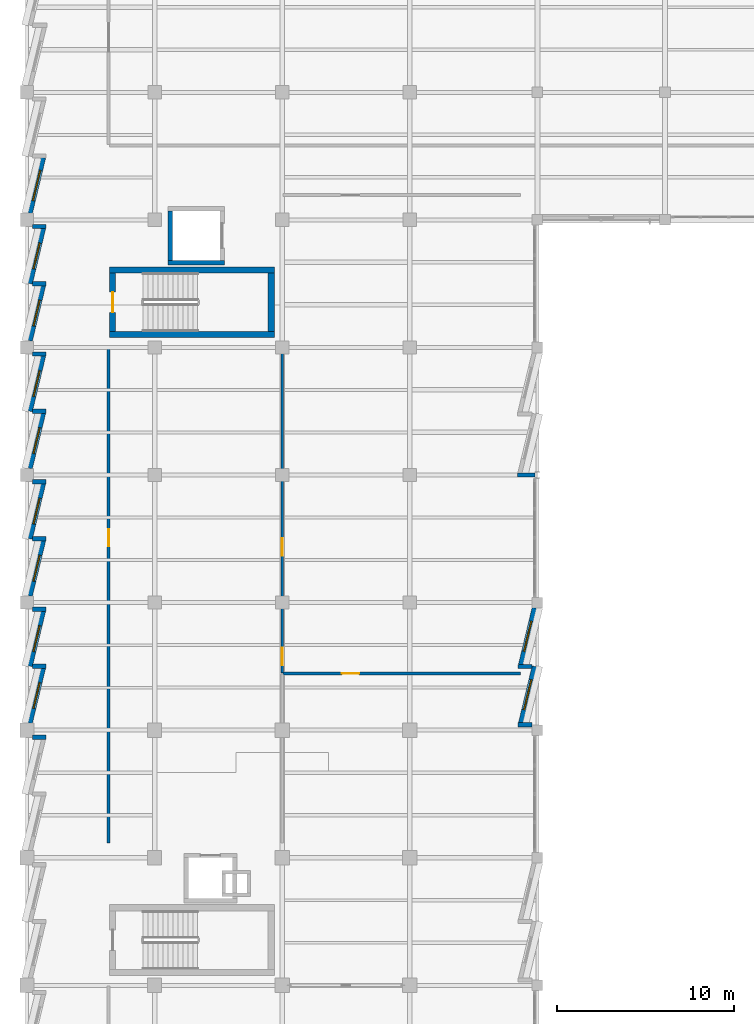
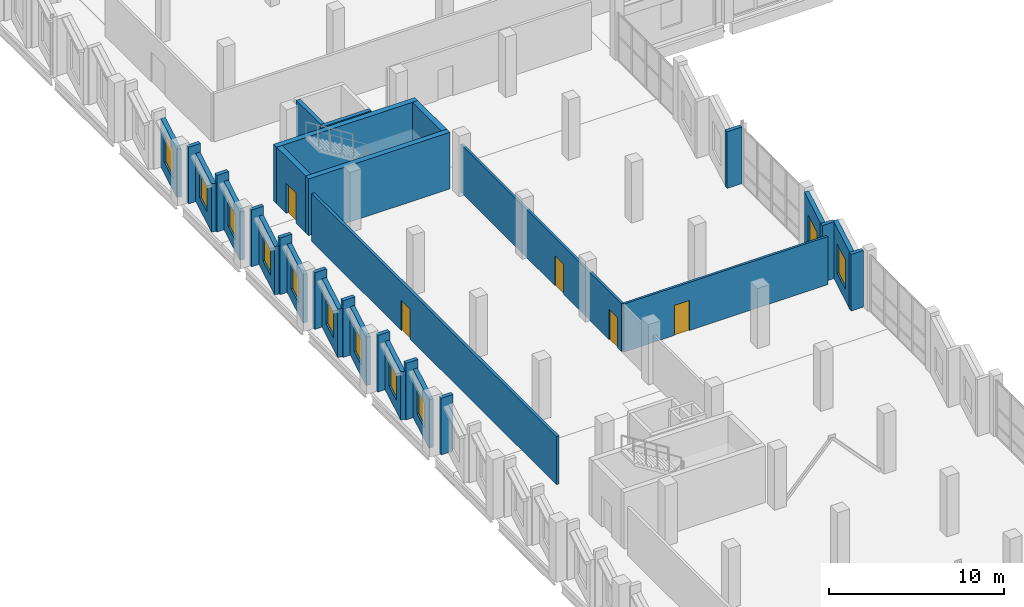
# One storey, part 71 of 94: 32 walls, 11 windows, 5 doors, 16 openings.
"""IFC4 building model written with IfcOpenShell, lengths in metres."""

from ifc_helpers import new_model, si_unit, direction, frame, frame_2d, origin, place, context, subcontext, project, spatial, rectangle, extrude, material, layer, layer_set, type_object, element, fill, save


model = new_model("IFC4")

# Units and contexts
model_context = context("Model", 3, precision=1e-05, world=origin(), true_north=direction((0.0, 1.0)))
body_context = subcontext(model_context, "Body", "Model", "MODEL_VIEW")
ifc_project = project(units=[si_unit("LENGTHUNIT", "METRE"), si_unit("AREAUNIT", "SQUARE_METRE"), si_unit("VOLUMEUNIT", "CUBIC_METRE"), si_unit("PLANEANGLEUNIT", "RADIAN"), si_unit("MASSUNIT", "GRAM", prefix="KILO")], contexts=[model_context])

# Site, building, storey
site_placement = place(None, origin())
site = spatial("IfcSite", under=ifc_project, at=site_placement, CompositionType="ELEMENT")
building_placement = place(site_placement, origin())
building = spatial("IfcBuilding", under=site, at=building_placement, Name="Kalmorath City Hall", CompositionType="ELEMENT")
storey_placement = place(building_placement, frame((0.0, 0.0, 14.699951171875)))
storey = spatial("IfcBuildingStorey", under=building, at=storey_placement, Name="L03", CompositionType="ELEMENT", Elevation=14.699951171875)

# Walls
ifc_material_1 = material(Name="Concrete C50/60", Category="concrete")
ifc_layer_1 = layer(ifc_material_1, 0.35009765625)
ifc_layer_set_1 = layer_set([ifc_layer_1], Name="Concrete C50/60")
wall_type_1 = type_object("IfcWallType", Name="Concrete core shear wall 350", PredefinedType="SHEAR", material=ifc_layer_set_1)
for number, where, z_axis, x_axis, name in (
    (1, (4.64990234375, 87.125, 0.0), (0.0, 0.0, 1.0), (1.0, 0.0, 0.0), "L03 C4 stair core shear wall S"),
    (2, (13.949951171875, 90.77490234375, 0.0), (0.0, 0.0, 1.0), (-1.0, 0.0, 0.0), "L03 C4 stair core shear wall N"),
):
    element("IfcWall", number, at=place(storey_placement, frame(where, z_axis=z_axis, x_axis=x_axis)), inside=storey, type_object=wall_type_1, Name=name, PredefinedType="SHEAR", context=body_context, shape_type="SweptSolid", body=[
        extrude(rectangle(XDim=9.300048828125, YDim=0.35009765625, at=frame_2d((4.64990234375, 0.0))), origin(), (0.0, 0.0, 1.0), 3.949951171875),
    ])

# Wall, opening, door
wall_1_placement = place(storey_placement, frame((4.824951171875, 90.60009765625, 0.0), z_axis=(0.0, 0.0, 1.0), x_axis=(0.0, -1.0, 0.0)))
wall_1 = element("IfcWall", 3, at=wall_1_placement, inside=storey, type_object=wall_type_1, Name="L03 C4 stair core shear wall W", PredefinedType="SHEAR", context=body_context, shape_type="SweptSolid", body=[
    extrude(rectangle(XDim=3.300048828125, YDim=0.35009765625, at=frame_2d((1.64990234375, 0.0))), origin(), (0.0, 0.0, 1.0), 3.949951171875),
])
opening_1_placement = place(wall_1_placement, frame((1.074951171875, 0.0, 0.0)))
opening_1 = element("IfcOpeningElement", 4, at=opening_1_placement, cuts=wall_1, Name="Opening D-L03-083", PredefinedType="OPENING", context=body_context, shape_type="SweptSolid", body=[
    extrude(rectangle(XDim=1.14990234375, YDim=2.10009765625, at=frame_2d((0.574951171875, 1.050048828125))), frame((0.0, 0.18505859375, 0.0), z_axis=(0.0, -1.0, 0.0), x_axis=(1.0, 0.0, 0.0)), (0.0, 0.0, 1.0), 0.3701171875),
])
ifc_material_2 = material(Name="Galvanised steel fire door", Category="steel")
door_type_1 = type_object("IfcDoorType", Name="Stair enclosure 90-min fire door 1150x2100", OperationType="NOTDEFINED", PredefinedType="DOOR", material=ifc_material_2)
door_1_placement = place(opening_1_placement, frame((1.14990234375, 0.0, 0.0), z_axis=(0.0, 0.0, 1.0), x_axis=(-1.0, 0.0, 0.0)))
door_1 = element("IfcDoor", 5, at=door_1_placement, inside=storey, type_object=door_type_1, Name="L03 door D-L03-083", OperationType="SINGLE_SWING_LEFT", OverallHeight=2.10009765625, OverallWidth=1.14990234375, PredefinedType="DOOR", context=body_context, shape_type="SweptSolid", body=[
    extrude(rectangle(XDim=1.14990234375, YDim=2.10009765625, at=frame_2d((0.574951171875, 1.050048828125))), frame((0.0, 0.02490234375, 0.0), z_axis=(0.0, -1.0, 0.0), x_axis=(1.0, 0.0, 0.0)), (0.0, 0.0, 1.0), 0.050048828125),
])
fill(opening_1, door_1)

# Walls
wall_2_placement = place(storey_placement, frame((13.77490234375, 87.300048828125, 0.0), z_axis=(0.0, 0.0, 1.0), x_axis=(0.0, 1.0, 0.0)))
element("IfcWall", 6, at=wall_2_placement, inside=storey, type_object=wall_type_1, Name="L03 C4 stair core shear wall E", PredefinedType="SHEAR", context=body_context, shape_type="SweptSolid", body=[
    extrude(rectangle(XDim=3.300048828125, YDim=0.35009765625, at=frame_2d((1.64990234375, 0.0))), origin(), (0.0, 0.0, 1.0), 3.949951171875),
])
ifc_material_3 = material(Name="Concrete C50/60", Category="concrete")
ifc_layer_2 = layer(ifc_material_3, 0.25)
ifc_layer_set_2 = layer_set([ifc_layer_2], Name="Concrete C50/60")
wall_type_2 = type_object("IfcWallType", Name="Concrete lift shaft wall 250", PredefinedType="SHEAR", material=ifc_layer_set_2)
wall_3_placement = place(storey_placement, frame((7.949951171875, 91.175048828125, 0.0), z_axis=(0.0, 0.0, 1.0), x_axis=(1.0, 0.0, 0.0)))
element("IfcWall", 7, at=wall_3_placement, inside=storey, type_object=wall_type_2, Name="L03 SL1 lift shaft wall -y", PredefinedType="SHEAR", context=body_context, shape_type="SweptSolid", body=[
    extrude(rectangle(XDim=3.199951171875, YDim=0.25, at=frame_2d((1.60009765625, 0.0))), origin(), (0.0, 0.0, 1.0), 3.949951171875),
])
wall_4_placement = place(storey_placement, frame((8.074951171875, 94.10009765625, 0.0), z_axis=(0.0, 0.0, 1.0), x_axis=(0.0, -1.0, 0.0)))
element("IfcWall", 8, at=wall_4_placement, inside=storey, type_object=wall_type_2, Name="L03 SL1 lift shaft wall -x", PredefinedType="SHEAR", context=body_context, shape_type="SweptSolid", body=[
    extrude(rectangle(XDim=2.800048828125, YDim=0.25, at=frame_2d((1.39990234375, 0.0))), origin(), (0.0, 0.0, 1.0), 3.949951171875),
])

# Wall, opening, door
ifc_material_4 = material(Name="Acoustic metal-stud gypsum partition")
ifc_layer_3 = layer(ifc_material_4, 0.14990234375)
ifc_layer_set_3 = layer_set([ifc_layer_3], Name="Acoustic metal-stud gypsum partition")
wall_type_3 = type_object("IfcWallType", Name="Departmental suite partition 150", PredefinedType="PARTITIONING", material=ifc_layer_set_3)
wall_5_placement = place(storey_placement, frame((14.43994140625, 68.0, 0.0), z_axis=(0.0, 0.0, 1.0), x_axis=(1.0, 0.0, 0.0)))
wall_5 = element("IfcWall", 9, at=wall_5_placement, inside=storey, type_object=wall_type_3, Name="L03 interior partition PW4 #145", PredefinedType="PARTITIONING", context=body_context, shape_type="SweptSolid", body=[
    extrude(rectangle(XDim=13.420166015625, YDim=0.14990234375, at=frame_2d((6.7099609375, 0.0))), origin(), (0.0, 0.0, 1.0), 3.35205078125),
])
opening_2_placement = place(wall_5_placement, frame((3.320068359375, 0.0, 0.0)))
opening_2 = element("IfcOpeningElement", 10, at=opening_2_placement, cuts=wall_5, Name="Opening D-L03-224", PredefinedType="OPENING", context=body_context, shape_type="SweptSolid", body=[
    extrude(rectangle(XDim=0.97998046875, YDim=2.10009765625, at=frame_2d((0.489990234375, 1.050048828125))), frame((0.0, 0.0849609375, 0.0), z_axis=(0.0, -1.0, 0.0), x_axis=(1.0, 0.0, 0.0)), (0.0, 0.0, 1.0), 0.169921875),
])
ifc_material_5 = material(Name="Hardwood veneer door", Category="wood")
door_type_2 = type_object("IfcDoorType", Name="Municipal suite single door 980x2100", OperationType="NOTDEFINED", PredefinedType="DOOR", material=ifc_material_5)
door_2_placement = place(opening_2_placement, origin())
door_2 = element("IfcDoor", 11, at=door_2_placement, inside=storey, type_object=door_type_2, Name="L03 door D-L03-224", OperationType="SINGLE_SWING_RIGHT", OverallHeight=2.10009765625, OverallWidth=0.97998046875, PredefinedType="DOOR", context=body_context, shape_type="SweptSolid", body=[
    extrude(rectangle(XDim=0.97998046875, YDim=2.10009765625, at=frame_2d((0.489990234375, 1.050048828125))), frame((0.0, 0.02490234375, 0.0), z_axis=(0.0, -1.0, 0.0), x_axis=(1.0, 0.0, 0.0)), (0.0, 0.0, 1.0), 0.050048828125),
])
fill(opening_2, door_2)

# Wall, openings, doors
wall_6_placement = place(storey_placement, frame((14.39990234375, 68.0400390625, 0.0), z_axis=(0.0, 0.0, 1.0), x_axis=(0.0, 1.0, 0.0)))
wall_6 = element("IfcWall", 12, at=wall_6_placement, inside=storey, type_object=wall_type_3, Name="L03 interior partition PW4 #146", PredefinedType="PARTITIONING", context=body_context, shape_type="SweptSolid", body=[
    extrude(rectangle(XDim=18.320068359375, YDim=0.14990234375, at=frame_2d((9.16015625, 0.0))), origin(), (0.0, 0.0, 1.0), 3.35205078125),
])
opening_3_placement = place(wall_6_placement, frame((6.607421875, 0.0, 0.0)))
opening_3 = element("IfcOpeningElement", 13, at=opening_3_placement, cuts=wall_6, Name="Opening D-L03-226", PredefinedType="OPENING", context=body_context, shape_type="SweptSolid", body=[
    extrude(rectangle(XDim=0.97998046875, YDim=2.10009765625, at=frame_2d((0.489990234375, 1.050048828125))), frame((0.0, 0.0849609375, 0.0), z_axis=(0.0, -1.0, 0.0), x_axis=(1.0, 0.0, 0.0)), (0.0, 0.0, 1.0), 0.169921875),
])
opening_4_placement = place(wall_6_placement, frame((0.419921875, 0.0, 0.0)))
opening_4 = element("IfcOpeningElement", 14, at=opening_4_placement, cuts=wall_6, Name="Opening D-L03-228", PredefinedType="OPENING", context=body_context, shape_type="SweptSolid", body=[
    extrude(rectangle(XDim=0.97998046875, YDim=2.10009765625, at=frame_2d((0.489990234375, 1.050048828125))), frame((0.0, 0.0849609375, 0.0), z_axis=(0.0, -1.0, 0.0), x_axis=(1.0, 0.0, 0.0)), (0.0, 0.0, 1.0), 0.169921875),
])
door_3_placement = place(opening_3_placement, origin())
door_3 = element("IfcDoor", 15, at=door_3_placement, inside=storey, type_object=door_type_2, Name="L03 door D-L03-226", OperationType="SINGLE_SWING_RIGHT", OverallHeight=2.10009765625, OverallWidth=0.97998046875, PredefinedType="DOOR", context=body_context, shape_type="SweptSolid", body=[
    extrude(rectangle(XDim=0.97998046875, YDim=2.10009765625, at=frame_2d((0.489990234375, 1.050048828125))), frame((0.0, 0.02490234375, 0.0), z_axis=(0.0, -1.0, 0.0), x_axis=(1.0, 0.0, 0.0)), (0.0, 0.0, 1.0), 0.050048828125),
])
fill(opening_3, door_3)
door_4_placement = place(opening_4_placement, origin())
door_4 = element("IfcDoor", 16, at=door_4_placement, inside=storey, type_object=door_type_2, Name="L03 door D-L03-228", OperationType="SINGLE_SWING_RIGHT", OverallHeight=2.10009765625, OverallWidth=0.97998046875, PredefinedType="DOOR", context=body_context, shape_type="SweptSolid", body=[
    extrude(rectangle(XDim=0.97998046875, YDim=2.10009765625, at=frame_2d((0.489990234375, 1.050048828125))), frame((0.0, 0.02490234375, 0.0), z_axis=(0.0, -1.0, 0.0), x_axis=(1.0, 0.0, 0.0)), (0.0, 0.0, 1.0), 0.050048828125),
])
fill(opening_4, door_4)

# Wall, opening, door
ifc_material_6 = material(Name="Fire-rated acoustic gypsum partition")
ifc_layer_4 = layer(ifc_material_6, 0.179931640625)
ifc_layer_set_4 = layer_set([ifc_layer_4], Name="Fire-rated acoustic gypsum partition")
wall_type_4 = type_object("IfcWallType", Name="One-hour corridor fire partition 180", PredefinedType="PARTITIONING", material=ifc_layer_set_4)
wall_7_placement = place(storey_placement, frame((4.60009765625, 58.43994140625, 0.0), z_axis=(0.0, 0.0, 1.0), x_axis=(0.0, 1.0, 0.0)))
wall_7 = element("IfcWall", 17, at=wall_7_placement, inside=storey, type_object=wall_type_4, Name="L03 interior partition PW2 #131", PredefinedType="PARTITIONING", context=body_context, shape_type="SweptSolid", body=[
    extrude(rectangle(XDim=27.920166015625, YDim=0.179931640625, at=frame_2d((13.9599609375, 0.0))), origin(), (0.0, 0.0, 1.0), 3.35205078125),
])
opening_5_placement = place(wall_7_placement, frame((16.732421875, 0.0, 0.0)))
opening_5 = element("IfcOpeningElement", 18, at=opening_5_placement, cuts=wall_7, Name="Opening D-L03-225", PredefinedType="OPENING", context=body_context, shape_type="SweptSolid", body=[
    extrude(rectangle(XDim=0.97998046875, YDim=2.10009765625, at=frame_2d((0.489990234375, 1.050048828125))), frame((0.0, 0.099853515625, 0.0), z_axis=(0.0, -1.0, 0.0), x_axis=(1.0, 0.0, 0.0)), (0.0, 0.0, 1.0), 0.199951171875),
])
door_5_placement = place(opening_5_placement, origin())
door_5 = element("IfcDoor", 19, at=door_5_placement, inside=storey, type_object=door_type_2, Name="L03 door D-L03-225", OperationType="SINGLE_SWING_LEFT", OverallHeight=2.10009765625, OverallWidth=0.97998046875, PredefinedType="DOOR", context=body_context, shape_type="SweptSolid", body=[
    extrude(rectangle(XDim=0.97998046875, YDim=2.10009765625, at=frame_2d((0.489990234375, 1.050048828125))), frame((0.0, 0.02490234375, 0.0), z_axis=(0.0, -1.0, 0.0), x_axis=(1.0, 0.0, 0.0)), (0.0, 0.0, 1.0), 0.050048828125),
])
fill(opening_5, door_5)

# Walls
ifc_material_7 = material(Name="Precast concrete C40/50", Category="concrete")
ifc_layer_5 = layer(ifc_material_7, 0.239990234375)
ifc_layer_set_5 = layer_set([ifc_layer_5], Name="Precast concrete C40/50")
wall_type_5 = type_object("IfcWallType", Name="Precast sawtooth cheek wall 240", PredefinedType="SOLIDWALL", material=ifc_layer_set_5)
wall_8_placement = place(storey_placement, frame((1.072998046875, 64.39892578125, 0.0), z_axis=(0.0, 0.0, 1.0), x_axis=(-1.0, 0.0, 0.0)))
element("IfcWall", 20, at=wall_8_placement, inside=storey, type_object=wall_type_5, Name="L03 sawtooth return cheek #565", PredefinedType="SOLIDWALL", context=body_context, shape_type="SweptSolid", body=[
    extrude(rectangle(XDim=0.781005859375, YDim=0.239990234375, at=frame_2d((0.390625, 0.0))), origin(), (0.0, 0.0, 1.0), 3.949951171875),
])
for number, where, z_axis, x_axis, name in (
    (21, (1.075927734375, 68.41259765625, 0.0), (0.0, 0.0, 1.0), (-1.0, 0.0, 0.0), "L03 sawtooth return cheek #567"),
    (22, (1.075927734375, 71.6240234375, 0.0), (0.0, 0.0, 1.0), (-1.0, 0.0, 0.0), "L03 sawtooth return cheek #569"),
):
    element("IfcWall", number, at=place(storey_placement, frame(where, z_axis=z_axis, x_axis=x_axis)), inside=storey, type_object=wall_type_5, Name=name, PredefinedType="SOLIDWALL", context=body_context, shape_type="SweptSolid", body=[
        extrude(rectangle(XDim=0.783935546875, YDim=0.239990234375, at=frame_2d((0.39208984375, 0.0))), origin(), (0.0, 0.0, 1.0), 3.949951171875),
    ])
for number, where, z_axis, x_axis, name in (
    (23, (1.0791015625, 75.60009765625, 0.0), (0.0, 0.0, 1.0), (-1.0, 0.0, 0.0), "L03 sawtooth return cheek #571"),
    (24, (1.0791015625, 78.823974609375, 0.0), (0.0, 0.0, 1.0), (-1.0, 0.0, 0.0), "L03 sawtooth return cheek #573"),
    (25, (1.0791015625, 82.800048828125, 0.0), (0.0, 0.0, 1.0), (-1.0, 0.0, 0.0), "L03 sawtooth return cheek #575"),
    (26, (1.0791015625, 86.02392578125, 0.0), (0.0, 0.0, 1.0), (-1.0, 0.0, 0.0), "L03 sawtooth return cheek #577"),
    (27, (1.0791015625, 90.0, 0.0), (0.0, 0.0, 1.0), (-1.0, 0.0, 0.0), "L03 sawtooth return cheek #579"),
    (28, (1.0791015625, 93.22412109375, 0.0), (0.0, 0.0, 1.0), (-1.0, 0.0, 0.0), "L03 sawtooth return cheek #581"),
):
    element("IfcWall", number, at=place(storey_placement, frame(where, z_axis=z_axis, x_axis=x_axis)), inside=storey, type_object=wall_type_5, Name=name, PredefinedType="SOLIDWALL", context=body_context, shape_type="SweptSolid", body=[
        extrude(rectangle(XDim=0.787109375, YDim=0.239990234375, at=frame_2d((0.3935546875, 0.0))), origin(), (0.0, 0.0, 1.0), 3.949951171875),
    ])
wall_9_placement = place(storey_placement, frame((27.666748046875, 79.199951171875, 0.0), z_axis=(0.0, 0.0, 1.0), x_axis=(1.0, 0.0, 0.0)))
element("IfcWall", 29, at=wall_9_placement, inside=storey, type_object=wall_type_5, Name="L03 sawtooth return cheek #637", PredefinedType="SOLIDWALL", context=body_context, shape_type="SweptSolid", body=[
    extrude(rectangle(XDim=0.9931640625, YDim=0.239990234375, at=frame_2d((0.49658203125, 0.0))), origin(), (0.0, 0.0, 1.0), 3.949951171875),
])
for number, where, z_axis, x_axis, name in (
    (30, (27.702880859375, 68.39990234375, 0.0), (0.0, 0.0, 1.0), (1.0, 0.0, 0.0), "L03 sawtooth return cheek #639"),
    (31, (27.702880859375, 65.10107421875, 0.0), (0.0, 0.0, 1.0), (1.0, 0.0, 0.0), "L03 sawtooth return cheek #641"),
):
    element("IfcWall", number, at=place(storey_placement, frame(where, z_axis=z_axis, x_axis=x_axis)), inside=storey, type_object=wall_type_5, Name=name, PredefinedType="SOLIDWALL", context=body_context, shape_type="SweptSolid", body=[
        extrude(rectangle(XDim=0.80517578125, YDim=0.239990234375, at=frame_2d((0.402587890625, 0.0))), origin(), (0.0, 0.0, 1.0), 3.949951171875),
    ])

# Wall, opening, window
ifc_material_8 = material(Name="Precast concrete C40/50", Category="concrete")
ifc_layer_6 = layer(ifc_material_8, 0.280029296875)
ifc_layer_set_6 = layer_set([ifc_layer_6], Name="Precast concrete C40/50")
wall_type_6 = type_object("IfcWallType", Name="Precast sawtooth facade wall 280", PredefinedType="SOLIDWALL", material=ifc_layer_set_6)
wall_10_placement = place(storey_placement, frame((0.159912109375, 65.200927734375, 0.0), z_axis=(0.0, 0.0, 1.0), x_axis=(0.23342764497, 0.972374174155, 0.0)))
wall_10 = element("IfcWall", 32, at=wall_10_placement, inside=storey, type_object=wall_type_6, Name="L03 sawtooth precast frame #566", PredefinedType="SOLIDWALL", context=body_context, shape_type="SweptSolid", body=[
    extrude(rectangle(XDim=3.207763671875, YDim=0.280029296875, at=frame_2d((1.60400390625, 0.0))), origin(), (0.0, 0.0, 1.0), 3.365966796875),
])
opening_6_placement = place(wall_10_placement, frame((0.85400390625, 0.0, 0.800048828125)))
opening_6 = element("IfcOpeningElement", 33, at=opening_6_placement, cuts=wall_10, Name="Opening WN7", PredefinedType="OPENING", context=body_context, shape_type="SweptSolid", body=[
    extrude(rectangle(XDim=1.5, YDim=1.699951171875, at=frame_2d((0.75, 0.85009765625))), frame((0.0, 0.14990234375, 0.0), z_axis=(0.0, -1.0, 0.0), x_axis=(1.0, 0.0, 0.0)), (0.0, 0.0, 1.0), 0.300048828125),
])
ifc_material_9 = material(Name="Aluminium and laminated glass", Category="aluminium")
window_type_1 = type_object("IfcWindowType", Name="Sawtooth top storey window 1500x1700", PartitioningType="SINGLE_PANEL", PredefinedType="WINDOW", material=ifc_material_9)
window_1_placement = place(opening_6_placement, origin())
window_1 = element("IfcWindow", 34, at=window_1_placement, inside=storey, type_object=window_type_1, Name="L03 window WN7-293", OverallHeight=1.699951171875, OverallWidth=1.5, PartitioningType="SINGLE_PANEL", PredefinedType="WINDOW", context=body_context, shape_type="SweptSolid", body=[
    extrude(rectangle(XDim=1.5, YDim=1.699951171875, at=frame_2d((0.75, 0.85009765625))), frame((0.0, 0.030029296875, 0.0), z_axis=(0.0, -1.0, 0.0), x_axis=(1.0, 0.0, 0.0)), (0.0, 0.0, 1.0), 0.06005859375),
])
fill(opening_6, window_1)

wall_11_placement = place(storey_placement, frame((0.159912109375, 68.41259765625, 0.0), z_axis=(0.0, 0.0, 1.0), x_axis=(0.233444921457, 0.972370026608, 0.0)))
wall_11 = element("IfcWall", 35, at=wall_11_placement, inside=storey, type_object=wall_type_6, Name="L03 sawtooth precast frame #568", PredefinedType="SOLIDWALL", context=body_context, shape_type="SweptSolid", body=[
    extrude(rectangle(XDim=3.20751953125, YDim=0.280029296875, at=frame_2d((1.603759765625, 0.0))), origin(), (0.0, 0.0, 1.0), 3.365966796875),
])
opening_7_placement = place(wall_11_placement, frame((0.85400390625, 0.0, 0.800048828125)))
opening_7 = element("IfcOpeningElement", 36, at=opening_7_placement, cuts=wall_11, Name="Opening WN7", PredefinedType="OPENING", context=body_context, shape_type="SweptSolid", body=[
    extrude(rectangle(XDim=1.5, YDim=1.699951171875, at=frame_2d((0.75, 0.85009765625))), frame((0.0, 0.14990234375, 0.0), z_axis=(0.0, -1.0, 0.0), x_axis=(1.0, 0.0, 0.0)), (0.0, 0.0, 1.0), 0.300048828125),
])
window_2_placement = place(opening_7_placement, origin())
window_2 = element("IfcWindow", 37, at=window_2_placement, inside=storey, type_object=window_type_1, Name="L03 window WN7-294", OverallHeight=1.699951171875, OverallWidth=1.5, PartitioningType="SINGLE_PANEL", PredefinedType="WINDOW", context=body_context, shape_type="SweptSolid", body=[
    extrude(rectangle(XDim=1.5, YDim=1.699951171875, at=frame_2d((0.75, 0.85009765625))), frame((0.0, 0.030029296875, 0.0), z_axis=(0.0, -1.0, 0.0), x_axis=(1.0, 0.0, 0.0)), (0.0, 0.0, 1.0), 0.06005859375),
])
fill(opening_7, window_2)

wall_12_placement = place(storey_placement, frame((0.159912109375, 72.3759765625, 0.0), z_axis=(0.0, 0.0, 1.0), x_axis=(0.233481900362, 0.972361148033, 0.0)))
wall_12 = element("IfcWall", 38, at=wall_12_placement, inside=storey, type_object=wall_type_6, Name="L03 sawtooth precast frame #570", PredefinedType="SOLIDWALL", context=body_context, shape_type="SweptSolid", body=[
    extrude(rectangle(XDim=3.220703125, YDim=0.280029296875, at=frame_2d((1.6103515625, 0.0))), origin(), (0.0, 0.0, 1.0), 3.365966796875),
])
opening_8_placement = place(wall_12_placement, frame((0.8603515625, 0.0, 0.800048828125)))
opening_8 = element("IfcOpeningElement", 39, at=opening_8_placement, cuts=wall_12, Name="Opening WN7", PredefinedType="OPENING", context=body_context, shape_type="SweptSolid", body=[
    extrude(rectangle(XDim=1.5, YDim=1.699951171875, at=frame_2d((0.75, 0.85009765625))), frame((0.0, 0.14990234375, 0.0), z_axis=(0.0, -1.0, 0.0), x_axis=(1.0, 0.0, 0.0)), (0.0, 0.0, 1.0), 0.300048828125),
])
window_3_placement = place(opening_8_placement, origin())
window_3 = element("IfcWindow", 40, at=window_3_placement, inside=storey, type_object=window_type_1, Name="L03 window WN7-295", OverallHeight=1.699951171875, OverallWidth=1.5, PartitioningType="SINGLE_PANEL", PredefinedType="WINDOW", context=body_context, shape_type="SweptSolid", body=[
    extrude(rectangle(XDim=1.5, YDim=1.699951171875, at=frame_2d((0.75, 0.85009765625))), frame((0.0, 0.030029296875, 0.0), z_axis=(0.0, -1.0, 0.0), x_axis=(1.0, 0.0, 0.0)), (0.0, 0.0, 1.0), 0.06005859375),
])
fill(opening_8, window_3)

wall_13_placement = place(storey_placement, frame((0.159912109375, 75.60009765625, 0.0), z_axis=(0.0, 0.0, 1.0), x_axis=(0.233481900362, 0.972361148033, 0.0)))
wall_13 = element("IfcWall", 41, at=wall_13_placement, inside=storey, type_object=wall_type_6, Name="L03 sawtooth precast frame #572", PredefinedType="SOLIDWALL", context=body_context, shape_type="SweptSolid", body=[
    extrude(rectangle(XDim=3.220703125, YDim=0.280029296875, at=frame_2d((1.6103515625, 0.0))), origin(), (0.0, 0.0, 1.0), 3.365966796875),
])
opening_9_placement = place(wall_13_placement, frame((0.8603515625, 0.0, 0.800048828125)))
opening_9 = element("IfcOpeningElement", 42, at=opening_9_placement, cuts=wall_13, Name="Opening WN7", PredefinedType="OPENING", context=body_context, shape_type="SweptSolid", body=[
    extrude(rectangle(XDim=1.5, YDim=1.699951171875, at=frame_2d((0.75, 0.85009765625))), frame((0.0, 0.14990234375, 0.0), z_axis=(0.0, -1.0, 0.0), x_axis=(1.0, 0.0, 0.0)), (0.0, 0.0, 1.0), 0.300048828125),
])
window_4_placement = place(opening_9_placement, origin())
window_4 = element("IfcWindow", 43, at=window_4_placement, inside=storey, type_object=window_type_1, Name="L03 window WN7-296", OverallHeight=1.699951171875, OverallWidth=1.5, PartitioningType="SINGLE_PANEL", PredefinedType="WINDOW", context=body_context, shape_type="SweptSolid", body=[
    extrude(rectangle(XDim=1.5, YDim=1.699951171875, at=frame_2d((0.75, 0.85009765625))), frame((0.0, 0.030029296875, 0.0), z_axis=(0.0, -1.0, 0.0), x_axis=(1.0, 0.0, 0.0)), (0.0, 0.0, 1.0), 0.06005859375),
])
fill(opening_9, window_4)

wall_14_placement = place(storey_placement, frame((0.159912109375, 79.575927734375, 0.0), z_axis=(0.0, 0.0, 1.0), x_axis=(0.233481900362, 0.972361148033, 0.0)))
wall_14 = element("IfcWall", 44, at=wall_14_placement, inside=storey, type_object=wall_type_6, Name="L03 sawtooth precast frame #574", PredefinedType="SOLIDWALL", context=body_context, shape_type="SweptSolid", body=[
    extrude(rectangle(XDim=3.220703125, YDim=0.280029296875, at=frame_2d((1.6103515625, 0.0))), origin(), (0.0, 0.0, 1.0), 3.365966796875),
])
opening_10_placement = place(wall_14_placement, frame((0.8603515625, 0.0, 0.800048828125)))
opening_10 = element("IfcOpeningElement", 45, at=opening_10_placement, cuts=wall_14, Name="Opening WN7", PredefinedType="OPENING", context=body_context, shape_type="SweptSolid", body=[
    extrude(rectangle(XDim=1.5, YDim=1.699951171875, at=frame_2d((0.75, 0.85009765625))), frame((0.0, 0.14990234375, 0.0), z_axis=(0.0, -1.0, 0.0), x_axis=(1.0, 0.0, 0.0)), (0.0, 0.0, 1.0), 0.300048828125),
])
window_5_placement = place(opening_10_placement, origin())
window_5 = element("IfcWindow", 46, at=window_5_placement, inside=storey, type_object=window_type_1, Name="L03 window WN7-297", OverallHeight=1.699951171875, OverallWidth=1.5, PartitioningType="SINGLE_PANEL", PredefinedType="WINDOW", context=body_context, shape_type="SweptSolid", body=[
    extrude(rectangle(XDim=1.5, YDim=1.699951171875, at=frame_2d((0.75, 0.85009765625))), frame((0.0, 0.030029296875, 0.0), z_axis=(0.0, -1.0, 0.0), x_axis=(1.0, 0.0, 0.0)), (0.0, 0.0, 1.0), 0.06005859375),
])
fill(opening_10, window_5)

wall_15_placement = place(storey_placement, frame((0.159912109375, 82.800048828125, 0.0), z_axis=(0.0, 0.0, 1.0), x_axis=(0.233481900362, 0.972361148033, 0.0)))
wall_15 = element("IfcWall", 47, at=wall_15_placement, inside=storey, type_object=wall_type_6, Name="L03 sawtooth precast frame #576", PredefinedType="SOLIDWALL", context=body_context, shape_type="SweptSolid", body=[
    extrude(rectangle(XDim=3.220703125, YDim=0.280029296875, at=frame_2d((1.6103515625, 0.0))), origin(), (0.0, 0.0, 1.0), 3.365966796875),
])
opening_11_placement = place(wall_15_placement, frame((0.8603515625, 0.0, 0.800048828125)))
opening_11 = element("IfcOpeningElement", 48, at=opening_11_placement, cuts=wall_15, Name="Opening WN7", PredefinedType="OPENING", context=body_context, shape_type="SweptSolid", body=[
    extrude(rectangle(XDim=1.5, YDim=1.699951171875, at=frame_2d((0.75, 0.85009765625))), frame((0.0, 0.14990234375, 0.0), z_axis=(0.0, -1.0, 0.0), x_axis=(1.0, 0.0, 0.0)), (0.0, 0.0, 1.0), 0.300048828125),
])
window_6_placement = place(opening_11_placement, origin())
window_6 = element("IfcWindow", 49, at=window_6_placement, inside=storey, type_object=window_type_1, Name="L03 window WN7-298", OverallHeight=1.699951171875, OverallWidth=1.5, PartitioningType="SINGLE_PANEL", PredefinedType="WINDOW", context=body_context, shape_type="SweptSolid", body=[
    extrude(rectangle(XDim=1.5, YDim=1.699951171875, at=frame_2d((0.75, 0.85009765625))), frame((0.0, 0.030029296875, 0.0), z_axis=(0.0, -1.0, 0.0), x_axis=(1.0, 0.0, 0.0)), (0.0, 0.0, 1.0), 0.06005859375),
])
fill(opening_11, window_6)

wall_16_placement = place(storey_placement, frame((0.159912109375, 86.77587890625, 0.0), z_axis=(0.0, 0.0, 1.0), x_axis=(0.233464691497, 0.972365280039, 0.0)))
wall_16 = element("IfcWall", 50, at=wall_16_placement, inside=storey, type_object=wall_type_6, Name="L03 sawtooth precast frame #578", PredefinedType="SOLIDWALL", context=body_context, shape_type="SweptSolid", body=[
    extrude(rectangle(XDim=3.220947265625, YDim=0.280029296875, at=frame_2d((1.6103515625, 0.0))), origin(), (0.0, 0.0, 1.0), 3.365966796875),
])
opening_12_placement = place(wall_16_placement, frame((0.8603515625, 0.0, 0.800048828125)))
opening_12 = element("IfcOpeningElement", 51, at=opening_12_placement, cuts=wall_16, Name="Opening WN7", PredefinedType="OPENING", context=body_context, shape_type="SweptSolid", body=[
    extrude(rectangle(XDim=1.5, YDim=1.699951171875, at=frame_2d((0.75, 0.85009765625))), frame((0.0, 0.14990234375, 0.0), z_axis=(0.0, -1.0, 0.0), x_axis=(1.0, 0.0, 0.0)), (0.0, 0.0, 1.0), 0.300048828125),
])
window_7_placement = place(opening_12_placement, origin())
window_7 = element("IfcWindow", 52, at=window_7_placement, inside=storey, type_object=window_type_1, Name="L03 window WN7-299", OverallHeight=1.699951171875, OverallWidth=1.5, PartitioningType="SINGLE_PANEL", PredefinedType="WINDOW", context=body_context, shape_type="SweptSolid", body=[
    extrude(rectangle(XDim=1.5, YDim=1.699951171875, at=frame_2d((0.75, 0.85009765625))), frame((0.0, 0.030029296875, 0.0), z_axis=(0.0, -1.0, 0.0), x_axis=(1.0, 0.0, 0.0)), (0.0, 0.0, 1.0), 0.06005859375),
])
fill(opening_12, window_7)

wall_17_placement = place(storey_placement, frame((0.159912109375, 90.0, 0.0), z_axis=(0.0, 0.0, 1.0), x_axis=(0.233481900362, 0.972361148033, 0.0)))
wall_17 = element("IfcWall", 53, at=wall_17_placement, inside=storey, type_object=wall_type_6, Name="L03 sawtooth precast frame #580", PredefinedType="SOLIDWALL", context=body_context, shape_type="SweptSolid", body=[
    extrude(rectangle(XDim=3.220703125, YDim=0.280029296875, at=frame_2d((1.6103515625, 0.0))), origin(), (0.0, 0.0, 1.0), 3.365966796875),
])
opening_13_placement = place(wall_17_placement, frame((0.8603515625, 0.0, 0.800048828125)))
opening_13 = element("IfcOpeningElement", 54, at=opening_13_placement, cuts=wall_17, Name="Opening WN7", PredefinedType="OPENING", context=body_context, shape_type="SweptSolid", body=[
    extrude(rectangle(XDim=1.5, YDim=1.699951171875, at=frame_2d((0.75, 0.85009765625))), frame((0.0, 0.14990234375, 0.0), z_axis=(0.0, -1.0, 0.0), x_axis=(1.0, 0.0, 0.0)), (0.0, 0.0, 1.0), 0.300048828125),
])
window_8_placement = place(opening_13_placement, origin())
window_8 = element("IfcWindow", 55, at=window_8_placement, inside=storey, type_object=window_type_1, Name="L03 window WN7-300", OverallHeight=1.699951171875, OverallWidth=1.5, PartitioningType="SINGLE_PANEL", PredefinedType="WINDOW", context=body_context, shape_type="SweptSolid", body=[
    extrude(rectangle(XDim=1.5, YDim=1.699951171875, at=frame_2d((0.75, 0.85009765625))), frame((0.0, 0.030029296875, 0.0), z_axis=(0.0, -1.0, 0.0), x_axis=(1.0, 0.0, 0.0)), (0.0, 0.0, 1.0), 0.06005859375),
])
fill(opening_13, window_8)

wall_18_placement = place(storey_placement, frame((0.159912109375, 93.97607421875, 0.0), z_axis=(0.0, 0.0, 1.0), x_axis=(0.233481900362, 0.972361148033, 0.0)))
wall_18 = element("IfcWall", 56, at=wall_18_placement, inside=storey, type_object=wall_type_6, Name="L03 sawtooth precast frame #582", PredefinedType="SOLIDWALL", context=body_context, shape_type="SweptSolid", body=[
    extrude(rectangle(XDim=3.220703125, YDim=0.280029296875, at=frame_2d((1.6103515625, 0.0))), origin(), (0.0, 0.0, 1.0), 3.365966796875),
])
opening_14_placement = place(wall_18_placement, frame((0.7353515625, 0.0, 0.800048828125)))
opening_14 = element("IfcOpeningElement", 57, at=opening_14_placement, cuts=wall_18, Name="Opening WN1", PredefinedType="OPENING", context=body_context, shape_type="SweptSolid", body=[
    extrude(rectangle(XDim=1.75, YDim=2.050048828125, at=frame_2d((0.875, 1.02490234375))), frame((0.0, 0.14990234375, 0.0), z_axis=(0.0, -1.0, 0.0), x_axis=(1.0, 0.0, 0.0)), (0.0, 0.0, 1.0), 0.300048828125),
])
ifc_material_10 = material(Name="Aluminium and laminated glass", Category="aluminium")
window_type_2 = type_object("IfcWindowType", Name="Sawtooth hurricane window 1750x2050", PartitioningType="SINGLE_PANEL", PredefinedType="WINDOW", material=ifc_material_10)
window_9_placement = place(opening_14_placement, origin())
window_9 = element("IfcWindow", 58, at=window_9_placement, inside=storey, type_object=window_type_2, Name="L03 window WN1-301", OverallHeight=2.050048828125, OverallWidth=1.75, PartitioningType="SINGLE_PANEL", PredefinedType="WINDOW", context=body_context, shape_type="SweptSolid", body=[
    extrude(rectangle(XDim=1.75, YDim=2.050048828125, at=frame_2d((0.875, 1.02490234375))), frame((0.0, 0.030029296875, 0.0), z_axis=(0.0, -1.0, 0.0), x_axis=(1.0, 0.0, 0.0)), (0.0, 0.0, 1.0), 0.06005859375),
])
fill(opening_14, window_9)

wall_19_placement = place(storey_placement, frame((28.639892578125, 71.698974609375, 0.0), z_axis=(0.0, 0.0, 1.0), x_axis=(-0.23343175428, -0.972373187667, 0.0)))
wall_19 = element("IfcWall", 59, at=wall_19_placement, inside=storey, type_object=wall_type_6, Name="L03 sawtooth precast frame #638", PredefinedType="SOLIDWALL", context=body_context, shape_type="SweptSolid", body=[
    extrude(rectangle(XDim=3.297607421875, YDim=0.280029296875, at=frame_2d((1.64892578125, 0.0))), origin(), (0.0, 0.0, 1.0), 3.949951171875),
])
opening_15_placement = place(wall_19_placement, frame((0.77392578125, 0.0, 0.800048828125)))
opening_15 = element("IfcOpeningElement", 60, at=opening_15_placement, cuts=wall_19, Name="Opening WN1", PredefinedType="OPENING", context=body_context, shape_type="SweptSolid", body=[
    extrude(rectangle(XDim=1.75, YDim=2.050048828125, at=frame_2d((0.875, 1.02490234375))), frame((0.0, 0.14990234375, 0.0), z_axis=(0.0, -1.0, 0.0), x_axis=(1.0, 0.0, 0.0)), (0.0, 0.0, 1.0), 0.300048828125),
])
window_10_placement = place(opening_15_placement, origin())
window_10 = element("IfcWindow", 61, at=window_10_placement, inside=storey, type_object=window_type_2, Name="L03 window WN1-338", OverallHeight=2.050048828125, OverallWidth=1.75, PartitioningType="SINGLE_PANEL", PredefinedType="WINDOW", context=body_context, shape_type="SweptSolid", body=[
    extrude(rectangle(XDim=1.75, YDim=2.050048828125, at=frame_2d((0.875, 1.02490234375))), frame((0.0, 0.030029296875, 0.0), z_axis=(0.0, -1.0, 0.0), x_axis=(1.0, 0.0, 0.0)), (0.0, 0.0, 1.0), 0.06005859375),
])
fill(opening_15, window_10)

wall_20_placement = place(storey_placement, frame((28.639892578125, 68.39990234375, 0.0), z_axis=(0.0, 0.0, 1.0), x_axis=(-0.23343175428, -0.972373187667, 0.0)))
wall_20 = element("IfcWall", 62, at=wall_20_placement, inside=storey, type_object=wall_type_6, Name="L03 sawtooth precast frame #640", PredefinedType="SOLIDWALL", context=body_context, shape_type="SweptSolid", body=[
    extrude(rectangle(XDim=3.297607421875, YDim=0.280029296875, at=frame_2d((1.64892578125, 0.0))), origin(), (0.0, 0.0, 1.0), 3.949951171875),
])
opening_16_placement = place(wall_20_placement, frame((0.77392578125, 0.0, 0.800048828125)))
opening_16 = element("IfcOpeningElement", 63, at=opening_16_placement, cuts=wall_20, Name="Opening WN1", PredefinedType="OPENING", context=body_context, shape_type="SweptSolid", body=[
    extrude(rectangle(XDim=1.75, YDim=2.050048828125, at=frame_2d((0.875, 1.02490234375))), frame((0.0, 0.14990234375, 0.0), z_axis=(0.0, -1.0, 0.0), x_axis=(1.0, 0.0, 0.0)), (0.0, 0.0, 1.0), 0.300048828125),
])
window_11_placement = place(opening_16_placement, origin())
window_11 = element("IfcWindow", 64, at=window_11_placement, inside=storey, type_object=window_type_2, Name="L03 window WN1-339", OverallHeight=2.050048828125, OverallWidth=1.75, PartitioningType="SINGLE_PANEL", PredefinedType="WINDOW", context=body_context, shape_type="SweptSolid", body=[
    extrude(rectangle(XDim=1.75, YDim=2.050048828125, at=frame_2d((0.875, 1.02490234375))), frame((0.0, 0.030029296875, 0.0), z_axis=(0.0, -1.0, 0.0), x_axis=(1.0, 0.0, 0.0)), (0.0, 0.0, 1.0), 0.06005859375),
])
fill(opening_16, window_11)

save(model, "model.ifc")
